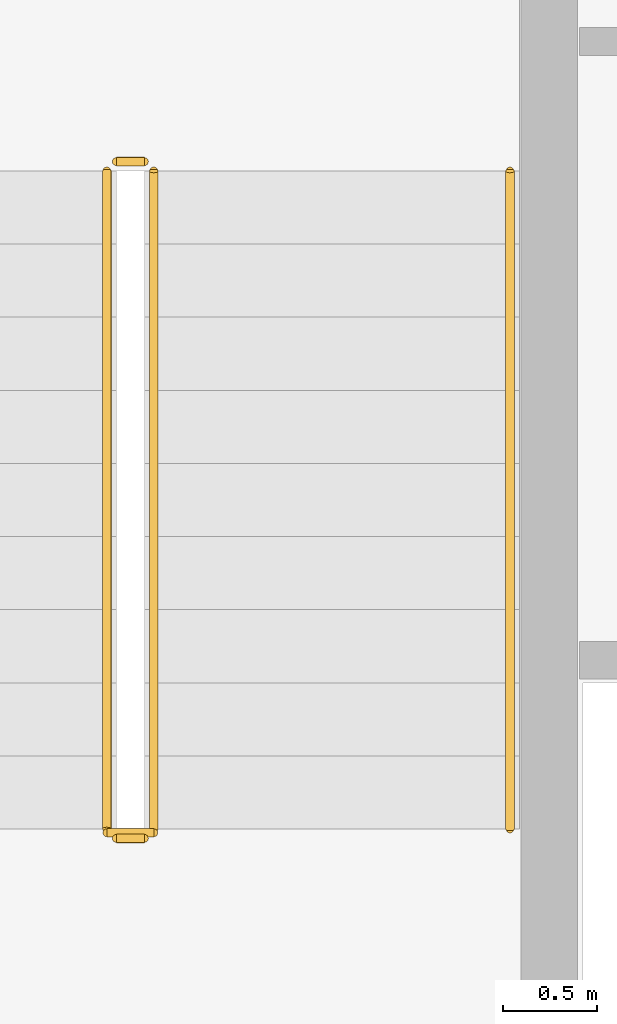
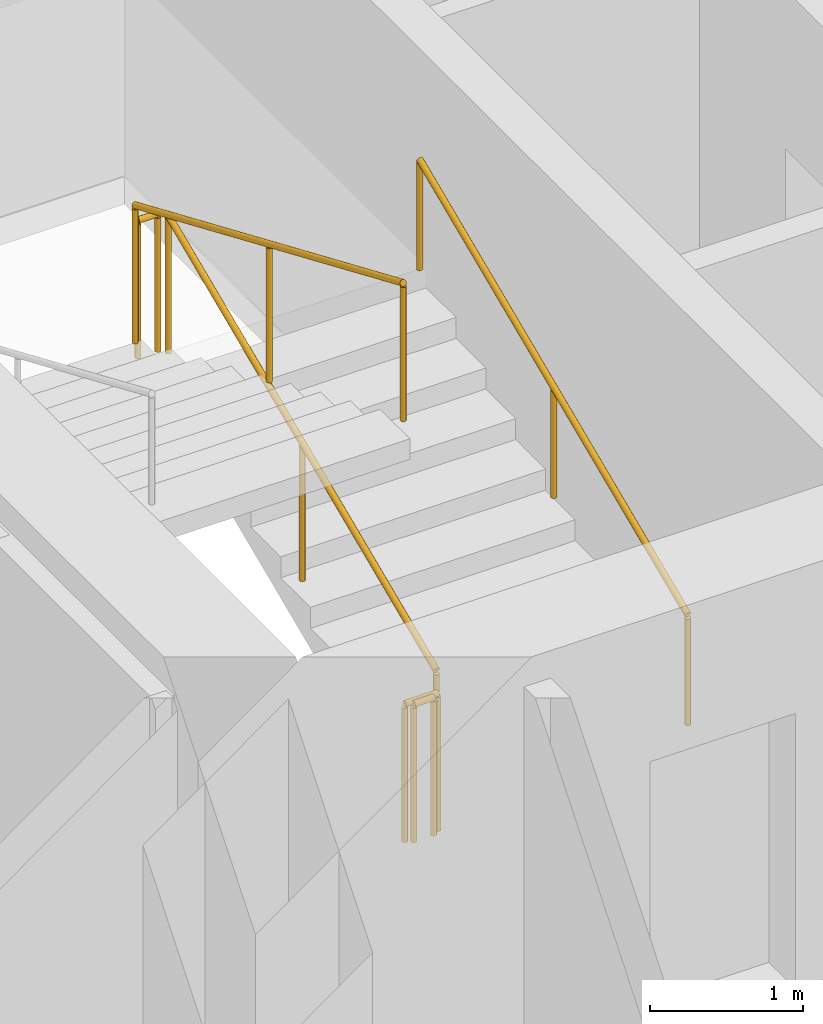
# One storey, part 31 of 32: 6 railings.
"""IFC4 building model written with IfcOpenShell, lengths in metres."""

from ifc_helpers import new_model, si_unit, direction, frame, origin, origin_2d, place, context, subcontext, project, spatial, circle, extrude, material, layer, layer_set, type_object, element, save


model = new_model("IFC4")

# Units and contexts
model_context = context("Model", 3, precision=1e-05, world=origin(), true_north=direction((0.0, 1.0)))
body_context = subcontext(model_context, "Body", "Model", "MODEL_VIEW")
ifc_project = project(units=[si_unit("LENGTHUNIT", "METRE"), si_unit("AREAUNIT", "SQUARE_METRE"), si_unit("VOLUMEUNIT", "CUBIC_METRE"), si_unit("PLANEANGLEUNIT", "RADIAN"), si_unit("MASSUNIT", "GRAM", prefix="KILO")], contexts=[model_context])

# Site, building, storey
site_placement = place(None, origin())
site = spatial("IfcSite", under=ifc_project, at=site_placement, CompositionType="ELEMENT")
building_placement = place(site_placement, origin())
building = spatial("IfcBuilding", under=site, at=building_placement, Name="Hatsunagi Terrace Concourse", CompositionType="ELEMENT")
storey_placement = place(building_placement, frame((0.0, 0.0, 46.64990234375)))
storey = spatial("IfcBuildingStorey", under=building, at=storey_placement, Name="L11", CompositionType="ELEMENT", Elevation=46.64990234375)

# Railings
ifc_material_1 = material(Name="Stainless steel", Category="steel")
ifc_layer_1 = layer(ifc_material_1, 0.044921875)
ifc_layer_set_1 = layer_set([ifc_layer_1], Name="StairPitchHandrail_Tower2000")
railing_type_1 = type_object("IfcRailingType", Name="StairPitchHandrail_Tower2000", PredefinedType="HANDRAIL", material=ifc_layer_set_1)
railing_1_placement = place(storey_placement, frame((30.330078125, 35.199951171875, 0.16748046875)))
element("IfcRailing", 1, at=railing_1_placement, inside=storey, type_object=railing_type_1, Name="L11 ST-A stair handrail 1", PredefinedType="HANDRAIL", context=body_context, shape_type="SweptSolid", body=[
    extrude(circle(Radius=0.02392578125, at=origin_2d()), frame((0.0, 0.0, 0.8759765625), z_axis=(0.0, 0.918834009242, 0.394644223904), x_axis=(-1.0, 0.0, 0.0)), (0.0, 0.0, 1.0), 3.820068359375),
    extrude(circle(Radius=0.02099609375, at=origin_2d()), origin(), (0.0, 0.0, 1.0), 0.851806640625),
    extrude(circle(Radius=0.02099609375, at=origin_2d()), frame((0.0, 1.7548828125, 0.75390625)), (0.0, 0.0, 1.0), 0.851806640625),
    extrude(circle(Radius=0.02099609375, at=origin_2d()), frame((0.0, 3.510009765625, 1.507568359375)), (0.0, 0.0, 1.0), 0.851806640625),
])
ifc_material_2 = material(Name="Stainless steel", Category="steel")
ifc_layer_2 = layer(ifc_material_2, 0.06005859375)
ifc_layer_set_2 = layer_set([ifc_layer_2], Name="StairWellGuard_Tower2000")
railing_type_2 = type_object("IfcRailingType", Name="StairWellGuard_Tower2000", PredefinedType="BALUSTRADE", material=ifc_layer_set_2)
railing_2_placement = place(storey_placement, frame((28.429931640625, 35.199951171875, 0.16748046875)))
element("IfcRailing", 2, at=railing_2_placement, inside=storey, type_object=railing_type_2, Name="L11 ST-A stair guard 1", PredefinedType="BALUSTRADE", context=body_context, shape_type="SweptSolid", body=[
    extrude(circle(Radius=0.02392578125, at=origin_2d()), frame((0.0, 0.0, 1.09619140625), z_axis=(0.0, 0.918834009242, 0.394644223904), x_axis=(-1.0, 0.0, 0.0)), (0.0, 0.0, 1.0), 3.820068359375),
    extrude(circle(Radius=0.02099609375, at=origin_2d()), origin(), (0.0, 0.0, 1.0), 1.072021484375),
    extrude(circle(Radius=0.02099609375, at=origin_2d()), frame((0.0, 1.7548828125, 0.75390625)), (0.0, 0.0, 1.0), 1.072021484375),
    extrude(circle(Radius=0.02099609375, at=origin_2d()), frame((0.0, 3.510009765625, 1.507568359375)), (0.0, 0.0, 1.0), 1.072021484375),
])
railing_3_placement = place(storey_placement, frame((28.3798828125, 38.760009765625, 1.675048828125)))
element("IfcRailing", 3, at=railing_3_placement, inside=storey, type_object=railing_type_2, Name="L11 ST-A stair guard 2", PredefinedType="BALUSTRADE", context=body_context, shape_type="SweptSolid", body=[
    extrude(circle(Radius=0.02392578125, at=origin_2d()), frame((0.0, 0.0, 1.09619140625), z_axis=(-1.0, 0.0, 0.0), x_axis=(0.0, -1.0, 0.0)), (0.0, 0.0, 1.0), 0.14990234375),
    extrude(circle(Radius=0.02099609375, at=origin_2d()), origin(), (0.0, 0.0, 1.0), 1.072021484375),
    extrude(circle(Radius=0.02099609375, at=origin_2d()), frame((-0.14990234375, 0.0, 0.0)), (0.0, 0.0, 1.0), 1.072021484375),
])
railing_4_placement = place(storey_placement, frame((28.179931640625, 38.7099609375, 1.842529296875)))
element("IfcRailing", 4, at=railing_4_placement, inside=storey, type_object=railing_type_2, Name="L11 ST-A stair guard 3", PredefinedType="BALUSTRADE", context=body_context, shape_type="SweptSolid", body=[
    extrude(circle(Radius=0.02392578125, at=origin_2d()), frame((0.0, 0.0, 1.09619140625), z_axis=(0.0, -0.918834009242, 0.394644223904), x_axis=(1.0, 0.0, 0.0)), (0.0, 0.0, 1.0), 3.820068359375),
    extrude(circle(Radius=0.02099609375, at=origin_2d()), origin(), (0.0, 0.0, 1.0), 1.072021484375),
    extrude(circle(Radius=0.02099609375, at=origin_2d()), frame((0.0, -1.7548828125, 0.75390625)), (0.0, 0.0, 1.0), 1.072021484375),
    extrude(circle(Radius=0.02099609375, at=origin_2d()), frame((0.0, -3.510009765625, 1.507568359375)), (0.0, 0.0, 1.0), 1.072021484375),
])
railing_5_placement = place(storey_placement, frame((28.3798828125, 35.14990234375, 0.0)))
element("IfcRailing", 5, at=railing_5_placement, inside=storey, type_object=railing_type_2, Name="L11 ST-A stair guard 4", PredefinedType="BALUSTRADE", context=body_context, shape_type="SweptSolid", body=[
    extrude(circle(Radius=0.02392578125, at=origin_2d()), frame((0.0, 0.0, 1.09619140625), z_axis=(-1.0, 0.0, 0.0), x_axis=(0.0, -1.0, 0.0)), (0.0, 0.0, 1.0), 0.14990234375),
    extrude(circle(Radius=0.02099609375, at=origin_2d()), origin(), (0.0, 0.0, 1.0), 1.072021484375),
    extrude(circle(Radius=0.02099609375, at=origin_2d()), frame((-0.14990234375, 0.0, 0.0)), (0.0, 0.0, 1.0), 1.072021484375),
])
ifc_material_3 = material(Name="Stainless Steel SUS316 Post-and-Rail Guard", Category="steel")
ifc_layer_3 = layer(ifc_material_3, 0.080078125)
ifc_layer_set_3 = layer_set([ifc_layer_3], Name="TerracePlantedGuardRail_1200")
railing_type_3 = type_object("IfcRailingType", Name="TerracePlantedGuardRail_1200", PredefinedType="GUARDRAIL", material=ifc_layer_set_3)
railing_6_placement = place(storey_placement, frame((28.179931640625, 35.179931640625, 0.0)))
element("IfcRailing", 6, at=railing_6_placement, inside=storey, type_object=railing_type_3, Name="Stair ST-A Well Closure Guard L11", PredefinedType="GUARDRAIL", context=body_context, shape_type="SweptSolid", body=[
    extrude(circle(Radius=0.02392578125, at=origin_2d()), frame((0.0, 0.0, 1.09619140625), z_axis=(1.0, 0.0, 0.0), x_axis=(0.0, 1.0, 0.0)), (0.0, 0.0, 1.0), 0.25),
    extrude(circle(Radius=0.02099609375, at=origin_2d()), origin(), (0.0, 0.0, 1.0), 1.072021484375),
    extrude(circle(Radius=0.02099609375, at=origin_2d()), frame((0.25, 0.0, 0.0)), (0.0, 0.0, 1.0), 1.072021484375),
])

save(model, "model.ifc")
